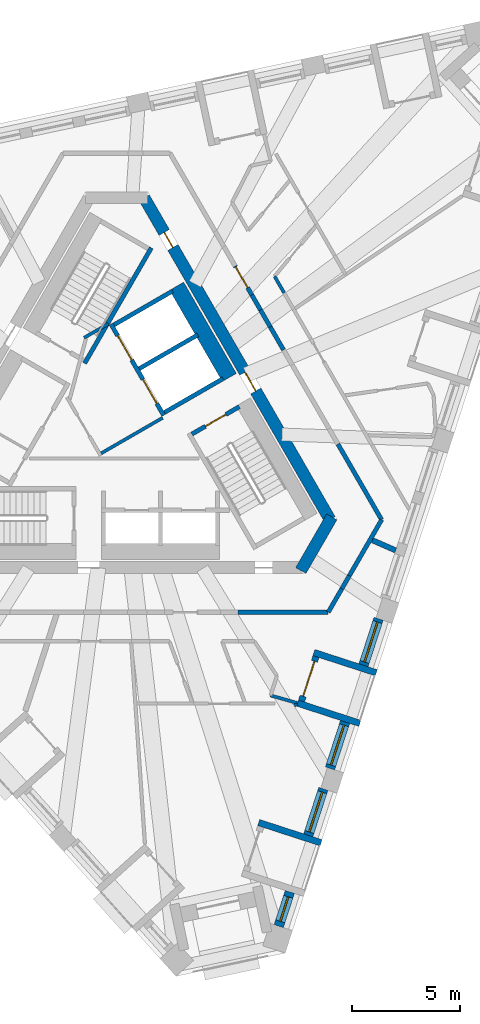
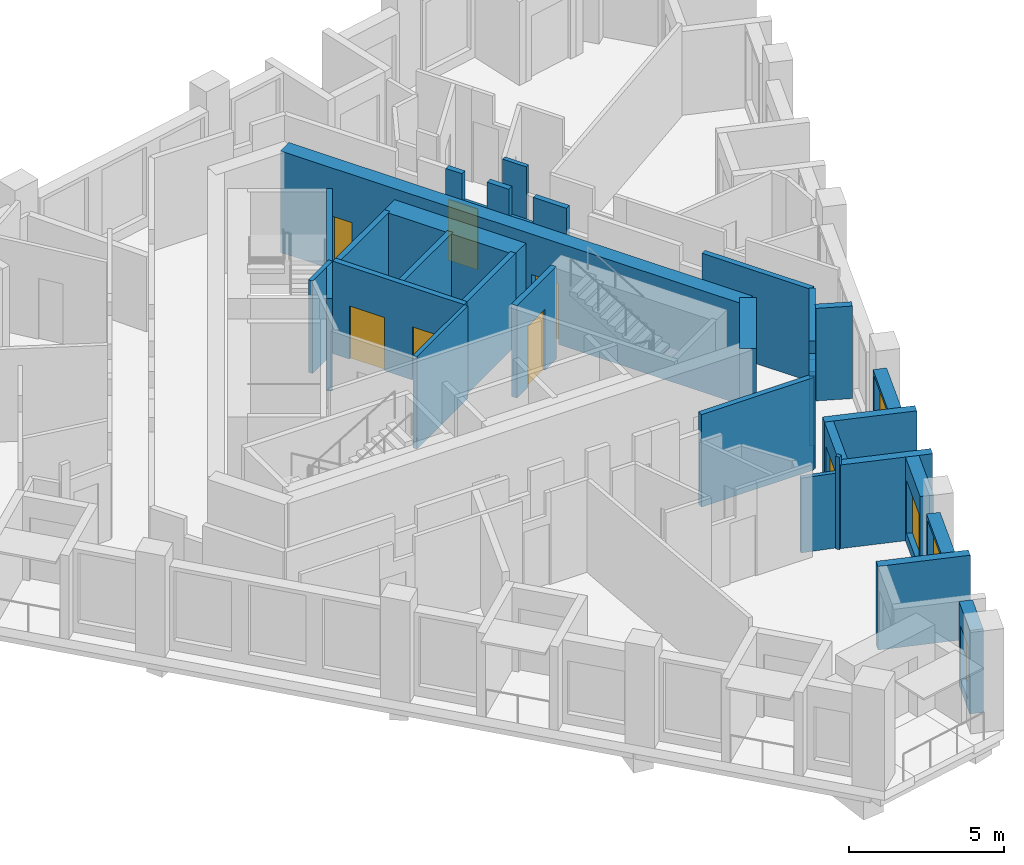
# One storey, part 5 of 12: 32 walls, 7 doors, 4 windows, 11 openings.
"""IFC4 building model written with IfcOpenShell, lengths in metres."""

from ifc_helpers import new_model, si_unit, direction, frame, frame_2d, origin, place, context, subcontext, project, spatial, polyline, rectangle, outline, extrude, material, layer, layer_set, type_object, element, fill, save


model = new_model("IFC4")

# Units and contexts
model_context = context("Model", 3, precision=1e-05, world=origin(), true_north=direction((0.0, 1.0)))
body_context = subcontext(model_context, "Body", "Model", "MODEL_VIEW")
ifc_project = project(units=[si_unit("LENGTHUNIT", "METRE"), si_unit("AREAUNIT", "SQUARE_METRE"), si_unit("VOLUMEUNIT", "CUBIC_METRE"), si_unit("PLANEANGLEUNIT", "RADIAN"), si_unit("MASSUNIT", "GRAM", prefix="KILO")], contexts=[model_context])

# Site, building, storey
site_placement = place(None, origin())
site = spatial("IfcSite", under=ifc_project, at=site_placement, CompositionType="ELEMENT")
building_placement = place(site_placement, origin())
building = spatial("IfcBuilding", under=site, at=building_placement, Name="Tramontana Tower", CompositionType="ELEMENT")
storey_placement = place(building_placement, frame((0.0, 0.0, 336.39990234375)))
storey = spatial("IfcBuildingStorey", under=building, at=storey_placement, Name="L77", CompositionType="ELEMENT", Elevation=336.39990234375)

# Wall
ifc_material_1 = material(Name="Concrete 70 MPa", Category="concrete")
ifc_layer_1 = layer(ifc_material_1, 0.550048828125)
ifc_layer_set_1 = layer_set([ifc_layer_1], Name="Core wall 550 70 MPa")
wall_type_1 = type_object("IfcWallType", Name="Core wall 550 70 MPa", PredefinedType="SHEAR", material=ifc_layer_set_1)
wall_1_placement = place(storey_placement, frame((8.56640625, -6.612548828125, 0.0), z_axis=(0.0, 0.0, 1.0), x_axis=(0.499995765644, 0.866027848477, 0.0)))
element("IfcWall", 1, at=wall_1_placement, inside=storey, type_object=wall_type_1, Name="Core wall C4 L77", PredefinedType="SHEAR", context=body_context, shape_type="SweptSolid", body=[
    extrude(rectangle(XDim=2.88671875, YDim=0.550048828125, at=frame_2d((1.443359375, 0.0))), origin(), (0.0, 0.0, 1.0), 4.0),
])

# Wall, openings, doors
wall_2_placement = place(storey_placement, frame((9.930419921875, -4.25, 0.0), z_axis=(0.0, 0.0, 1.0), x_axis=(-0.499994590896, 0.86602852671, 0.0)))
wall_2 = element("IfcWall", 2, at=wall_2_placement, inside=storey, type_object=wall_type_1, Name="Core wall C5 L77", PredefinedType="SHEAR", context=body_context, shape_type="SweptSolid", body=[
    extrude(rectangle(XDim=17.291748046875, YDim=0.550048828125, at=frame_2d((8.64599609375, 0.0))), origin(), (0.0, 0.0, 1.0), 4.0),
])
opening_1_placement = place(wall_2_placement, frame((6.9208984375, 0.0, 0.0)))
opening_1 = element("IfcOpeningElement", 3, at=opening_1_placement, cuts=wall_2, Name="Opening RG3", PredefinedType="OPENING", context=body_context, shape_type="SweptSolid", body=[
    extrude(rectangle(XDim=1.0, YDim=2.39990234375, at=frame_2d((0.5, 1.199951171875))), frame((0.0, 0.284912109375, 0.0), z_axis=(0.0, -1.0, 0.0), x_axis=(1.0, 0.0, 0.0)), (0.0, 0.0, 1.0), 0.570068359375),
])
opening_2_placement = place(wall_2_placement, frame((14.625732421875, 0.0, 0.0)))
opening_2 = element("IfcOpeningElement", 4, at=opening_2_placement, cuts=wall_2, Name="Opening PD3", PredefinedType="OPENING", context=body_context, shape_type="SweptSolid", body=[
    extrude(rectangle(XDim=0.800048828125, YDim=2.10009765625, at=frame_2d((0.39990234375, 1.050048828125))), frame((0.0, 0.284912109375, 0.0), z_axis=(0.0, -1.0, 0.0), x_axis=(1.0, 0.0, 0.0)), (0.0, 0.0, 1.0), 0.570068359375),
])
ifc_material_2 = material(Name="Painted steel", Category="steel")
door_type_1 = type_object("IfcDoorType", Name="CUPBOARD DOOR 800", OperationType="SINGLE_SWING_LEFT", PredefinedType="DOOR", material=ifc_material_2)
door_1_placement = place(opening_2_placement, origin())
door_1 = element("IfcDoor", 5, at=door_1_placement, inside=storey, type_object=door_type_1, Name="Door PD3", OperationType="SINGLE_SWING_RIGHT", OverallHeight=2.10009765625, OverallWidth=0.800048828125, PredefinedType="DOOR", context=body_context, shape_type="SweptSolid", body=[
    extrude(rectangle(XDim=0.800048828125, YDim=2.10009765625, at=frame_2d((0.39990234375, 1.050048828125))), frame((0.0, 0.02490234375, 0.0), z_axis=(0.0, -1.0, 0.0), x_axis=(1.0, 0.0, 0.0)), (0.0, 0.0, 1.0), 0.050048828125),
])
fill(opening_2, door_1)
ifc_material_3 = material(Name="Painted steel", Category="steel")
door_type_2 = type_object("IfcDoorType", Name="RING DOOR 1000", OperationType="SINGLE_SWING_LEFT", PredefinedType="DOOR", material=ifc_material_3)
door_2_placement = place(opening_1_placement, origin())
door_2 = element("IfcDoor", 6, at=door_2_placement, inside=storey, type_object=door_type_2, Name="Door RG3", OperationType="SINGLE_SWING_RIGHT", OverallHeight=2.39990234375, OverallWidth=1.0, PredefinedType="DOOR", context=body_context, shape_type="SweptSolid", body=[
    extrude(rectangle(XDim=1.0, YDim=2.39990234375, at=frame_2d((0.5, 1.199951171875))), frame((0.0, 0.02490234375, 0.0), z_axis=(0.0, -1.0, 0.0), x_axis=(1.0, 0.0, 0.0)), (0.0, 0.0, 1.0), 0.050048828125),
])
fill(opening_1, door_2)

# Walls
ifc_material_4 = material(Name="Blockwork", Category="masonry")
ifc_layer_2 = layer(ifc_material_4, 0.199951171875)
ifc_layer_set_2 = layer_set([ifc_layer_2], Name="ENTRY WALL 200")
wall_type_2 = type_object("IfcWallType", Name="ENTRY WALL 200", PredefinedType="SOLIDWALL", material=ifc_layer_set_2)
wall_3_placement = place(storey_placement, frame((12.326416015625, -4.25, 0.0), z_axis=(0.0, 0.0, 1.0), x_axis=(-0.500003959331, -0.866023117852, 0.0)))
element("IfcWall", 7, at=wall_3_placement, inside=storey, type_object=wall_type_2, Name="Wall v81-ew0-0", PredefinedType="SOLIDWALL", context=body_context, shape_type="SweptSolid", body=[
    extrude(rectangle(XDim=3.0029296875, YDim=0.199951171875, at=frame_2d((1.50146484375, 0.0))), origin(), (0.0, 0.0, 1.0), 3.650146484375),
])
wall_4_placement = place(storey_placement, frame((10.824951171875, -6.8505859375, 0.0), z_axis=(0.0, 0.0, 1.0), x_axis=(-0.500144223137, -0.865942120504, 0.0)))
element("IfcWall", 8, at=wall_4_placement, inside=storey, type_object=wall_type_2, Name="Wall v81-ew0-1", PredefinedType="SOLIDWALL", context=body_context, shape_type="SweptSolid", body=[
    extrude(rectangle(XDim=0.701416015625, YDim=0.199951171875, at=frame_2d((0.3505859375, 0.0))), origin(), (0.0, 0.0, 1.0), 2.9501953125),
])
wall_5_placement = place(storey_placement, frame((10.47412109375, -7.4580078125, 0.0), z_axis=(0.0, 0.0, 1.0), x_axis=(-0.499929168788, -0.866066294342, 0.0)))
element("IfcWall", 9, at=wall_5_placement, inside=storey, type_object=wall_type_2, Name="Wall v81-ew0-2", PredefinedType="SOLIDWALL", context=body_context, shape_type="SweptSolid", body=[
    extrude(rectangle(XDim=1.260986328125, YDim=0.199951171875, at=frame_2d((0.63037109375, 0.0))), origin(), (0.0, 0.0, 1.0), 3.650146484375),
])
wall_6_placement = place(storey_placement, frame((9.84375, -8.550048828125, 0.0), z_axis=(0.0, 0.0, 1.0), x_axis=(-1.0, 0.0, 0.0)))
element("IfcWall", 10, at=wall_6_placement, inside=storey, type_object=wall_type_2, Name="Wall v81-ew1-0", PredefinedType="SOLIDWALL", context=body_context, shape_type="SweptSolid", body=[
    extrude(rectangle(XDim=4.1943359375, YDim=0.199951171875, at=frame_2d((2.09716796875, 0.0))), origin(), (0.0, 0.0, 1.0), 3.650146484375),
])

# Wall, opening, door
wall_7_placement = place(storey_placement, frame((5.515380859375, 7.547119140625, 0.0), z_axis=(0.0, 0.0, 1.0), x_axis=(0.499986163319, -0.866033392248, 0.0)))
wall_7 = element("IfcWall", 11, at=wall_7_placement, inside=storey, type_object=wall_type_2, Name="Wall v81-ew5-3", PredefinedType="SOLIDWALL", context=body_context, shape_type="SweptSolid", body=[
    extrude(outline(polyline([(0.0, 0.0), (1.54931640625, 0.0), (1.549072265625, 2.550048828125), (0.605224609375, 2.550048828125), (0.605224609375, 3.650146484375), (0.0, 3.650146484375), (0.0, 0.0)])), frame((0.0, 0.10009765625, 0.0), z_axis=(0.0, -1.0, 0.0), x_axis=(1.0, 0.0, 0.0)), (0.0, 0.0, 1.0), 0.199951171875),
])
opening_3_placement = place(wall_7_placement, frame((0.050048828125, 0.0, 0.0)))
opening_3 = element("IfcOpeningElement", 12, at=opening_3_placement, cuts=wall_7, Name="Opening B8B-18", PredefinedType="OPENING", context=body_context, shape_type="SweptSolid", body=[
    extrude(rectangle(XDim=1.10009765625, YDim=2.39990234375, at=frame_2d((0.550048828125, 1.199951171875))), frame((0.0, 0.10986328125, 0.0), z_axis=(0.0, -1.0, 0.0), x_axis=(1.0, 0.0, 0.0)), (0.0, 0.0, 1.0), 0.219970703125),
])
ifc_material_5 = material(Name="Painted timber", Category="wood")
door_type_3 = type_object("IfcDoorType", Name="DOOR ENTRY 1100", OperationType="SINGLE_SWING_LEFT", PredefinedType="DOOR", material=ifc_material_5)
door_3_placement = place(opening_3_placement, origin())
door_3 = element("IfcDoor", 13, at=door_3_placement, inside=storey, type_object=door_type_3, Name="Door B8B-18", OperationType="SINGLE_SWING_RIGHT", OverallHeight=2.39990234375, OverallWidth=1.10009765625, PredefinedType="DOOR", context=body_context, shape_type="SweptSolid", body=[
    extrude(rectangle(XDim=1.10009765625, YDim=2.39990234375, at=frame_2d((0.550048828125, 1.199951171875))), frame((0.0, 0.02490234375, 0.0), z_axis=(0.0, -1.0, 0.0), x_axis=(1.0, 0.0, 0.0)), (0.0, 0.0, 1.0), 0.050048828125),
])
fill(opening_3, door_3)

# Walls
wall_8_placement = place(storey_placement, frame((6.2900390625, 6.205322265625, 0.0), z_axis=(0.0, 0.0, 1.0), x_axis=(0.500045602705, -0.86599907345, 0.0)))
element("IfcWall", 14, at=wall_8_placement, inside=storey, type_object=wall_type_2, Name="Wall v81-ew5-4", PredefinedType="SOLIDWALL", context=body_context, shape_type="SweptSolid", body=[
    extrude(rectangle(XDim=0.806640625, YDim=0.199951171875, at=frame_2d((0.4033203125, 0.0))), origin(), (0.0, 0.0, 1.0), 3.650146484375),
])
wall_9_placement = place(storey_placement, frame((6.693359375, 5.5068359375, 0.0), z_axis=(0.0, 0.0, 1.0), x_axis=(0.499994660107, -0.866028486751, 0.0)))
element("IfcWall", 15, at=wall_9_placement, inside=storey, type_object=wall_type_2, Name="Wall v81-ew5-5", PredefinedType="SOLIDWALL", context=body_context, shape_type="SweptSolid", body=[
    extrude(rectangle(XDim=0.90576171875, YDim=0.199951171875, at=frame_2d((0.452880859375, 0.0))), origin(), (0.0, 0.0, 1.0), 2.550048828125),
])
wall_10_placement = place(storey_placement, frame((7.146240234375, 4.722412109375, 0.0), z_axis=(0.0, 0.0, 1.0), x_axis=(0.499955681623, -0.866050989499, 0.0)))
element("IfcWall", 16, at=wall_10_placement, inside=storey, type_object=wall_type_2, Name="Wall v81-ew5-6", PredefinedType="SOLIDWALL", context=body_context, shape_type="SweptSolid", body=[
    extrude(rectangle(XDim=1.23828125, YDim=0.199951171875, at=frame_2d((0.619140625, 0.0))), origin(), (0.0, 0.0, 1.0), 3.650146484375),
])
wall_11_placement = place(storey_placement, frame((10.29345703125, -0.72900390625, 0.0), z_axis=(0.0, 0.0, 1.0), x_axis=(0.50002046505, -0.86601358796, 0.0)))
element("IfcWall", 17, at=wall_11_placement, inside=storey, type_object=wall_type_2, Name="Wall v81-ew5-10", PredefinedType="SOLIDWALL", context=body_context, shape_type="SweptSolid", body=[
    extrude(rectangle(XDim=4.065673828125, YDim=0.199951171875, at=frame_2d((2.03271484375, 0.0))), origin(), (0.0, 0.0, 1.0), 3.650146484375),
])

# Wall, opening, window
ifc_material_6 = material(Name="Precast concrete 60 MPa", Category="concrete")
ifc_layer_3 = layer(ifc_material_6, 0.449951171875)
ifc_layer_set_3 = layer_set([ifc_layer_3], Name="Precast concrete 60 MPa, 450 mm")
wall_type_3 = type_object("IfcWallType", Name="EW1 Stone-faced precast wall 450", PredefinedType="SOLIDWALL", material=ifc_layer_set_3)
wall_12_placement = place(storey_placement, frame((7.541015625, -23.14794921875, 0.0), z_axis=(0.0, 0.0, 1.0), x_axis=(0.308944042168, 0.951080216811, 0.0)))
wall_12 = element("IfcWall", 18, at=wall_12_placement, inside=storey, type_object=wall_type_3, Name="External wall L77 face 1 bay 1", PredefinedType="SOLIDWALL", context=body_context, shape_type="SweptSolid", body=[
    extrude(rectangle(XDim=1.67138671875, YDim=0.449951171875, at=frame_2d((0.835693359375, 0.0))), origin(), (0.0, 0.0, 1.0), 3.300048828125),
])
opening_4_placement = place(wall_12_placement, frame((0.235595703125, 0.0, 0.39990234375)))
opening_4 = element("IfcOpeningElement", 19, at=opening_4_placement, cuts=wall_12, Name="Opening N3L", PredefinedType="OPENING", context=body_context, shape_type="SweptSolid", body=[
    extrude(rectangle(XDim=1.199951171875, YDim=2.10009765625, at=frame_2d((0.60009765625, 1.050048828125))), frame((0.0, 0.23486328125, 0.0), z_axis=(0.0, -1.0, 0.0), x_axis=(1.0, 0.0, 0.0)), (0.0, 0.0, 1.0), 0.469970703125),
])
ifc_material_7 = material(Name="Aluminum frame, double glazing unit", Category="aluminium")
window_type_1 = type_object("IfcWindowType", Name="N3L Window 1.2 x 2.1", PartitioningType="SINGLE_PANEL", PredefinedType="WINDOW", material=ifc_material_7)
window_1_placement = place(opening_4_placement, origin())
window_1 = element("IfcWindow", 20, at=window_1_placement, inside=storey, type_object=window_type_1, Name="Window N3L L77 face 1 module 1", OverallHeight=2.10009765625, OverallWidth=1.199951171875, PartitioningType="SINGLE_PANEL", PredefinedType="WINDOW", context=body_context, shape_type="SweptSolid", body=[
    extrude(rectangle(XDim=1.199951171875, YDim=2.10009765625, at=frame_2d((0.60009765625, 1.050048828125))), frame((0.0, 0.030029296875, 0.0), z_axis=(0.0, -1.0, 0.0), x_axis=(1.0, 0.0, 0.0)), (0.0, 0.0, 1.0), 0.06005859375),
])
fill(opening_4, window_1)

wall_13_placement = place(storey_placement, frame((8.913818359375, -18.922607421875, 0.0), z_axis=(0.0, 0.0, 1.0), x_axis=(0.309059334219, 0.951042758204, 0.0)))
wall_13 = element("IfcWall", 21, at=wall_13_placement, inside=storey, type_object=wall_type_3, Name="External wall L77 face 1 bay 1", PredefinedType="SOLIDWALL", context=body_context, shape_type="SweptSolid", body=[
    extrude(rectangle(XDim=2.27099609375, YDim=0.449951171875, at=frame_2d((1.135498046875, 0.0))), origin(), (0.0, 0.0, 1.0), 3.300048828125),
])
opening_5_placement = place(wall_13_placement, frame((0.16064453125, 0.0, 0.39990234375)))
opening_5 = element("IfcOpeningElement", 22, at=opening_5_placement, cuts=wall_13, Name="Opening M3", PredefinedType="OPENING", context=body_context, shape_type="SweptSolid", body=[
    extrude(rectangle(XDim=1.949951171875, YDim=2.75, at=frame_2d((0.97509765625, 1.375))), frame((0.0, 0.23486328125, 0.0), z_axis=(0.0, -1.0, 0.0), x_axis=(1.0, 0.0, 0.0)), (0.0, 0.0, 1.0), 0.469970703125),
])
ifc_material_8 = material(Name="Aluminum frame, double glazing unit", Category="aluminium")
window_type_2 = type_object("IfcWindowType", Name="M3 Window 1.95 x 2.75", PartitioningType="SINGLE_PANEL", PredefinedType="WINDOW", material=ifc_material_8)
window_2_placement = place(opening_5_placement, origin())
window_2 = element("IfcWindow", 23, at=window_2_placement, inside=storey, type_object=window_type_2, Name="Window M3 L77 face 1 module 3", OverallHeight=2.75, OverallWidth=1.949951171875, PartitioningType="SINGLE_PANEL", PredefinedType="WINDOW", context=body_context, shape_type="SweptSolid", body=[
    extrude(rectangle(XDim=1.949951171875, YDim=2.75, at=frame_2d((0.97509765625, 1.375))), frame((0.0, 0.030029296875, 0.0), z_axis=(0.0, -1.0, 0.0), x_axis=(1.0, 0.0, 0.0)), (0.0, 0.0, 1.0), 0.06005859375),
])
fill(opening_5, window_2)

wall_14_placement = place(storey_placement, frame((9.9248046875, -15.8115234375, 0.0), z_axis=(0.0, 0.0, 1.0), x_axis=(0.308930512416, 0.95108461164, 0.0)))
wall_14 = element("IfcWall", 24, at=wall_14_placement, inside=storey, type_object=wall_type_3, Name="External wall L77 face 1 bay 2", PredefinedType="SOLIDWALL", context=body_context, shape_type="SweptSolid", body=[
    extrude(rectangle(XDim=2.271240234375, YDim=0.449951171875, at=frame_2d((1.1357421875, 0.0))), origin(), (0.0, 0.0, 1.0), 3.300048828125),
])
opening_6_placement = place(wall_14_placement, frame((0.16064453125, 0.0, 0.39990234375)))
opening_6 = element("IfcOpeningElement", 25, at=opening_6_placement, cuts=wall_14, Name="Opening M3L", PredefinedType="OPENING", context=body_context, shape_type="SweptSolid", body=[
    extrude(rectangle(XDim=1.949951171875, YDim=2.10009765625, at=frame_2d((0.97509765625, 1.050048828125))), frame((0.0, 0.23486328125, 0.0), z_axis=(0.0, -1.0, 0.0), x_axis=(1.0, 0.0, 0.0)), (0.0, 0.0, 1.0), 0.469970703125),
])
ifc_material_9 = material(Name="Aluminum frame, double glazing unit", Category="aluminium")
window_type_3 = type_object("IfcWindowType", Name="M3L Window 1.95 x 2.1", PartitioningType="SINGLE_PANEL", PredefinedType="WINDOW", material=ifc_material_9)
window_3_placement = place(opening_6_placement, origin())
window_3 = element("IfcWindow", 26, at=window_3_placement, inside=storey, type_object=window_type_3, Name="Window M3L L77 face 1 module 4", OverallHeight=2.10009765625, OverallWidth=1.949951171875, PartitioningType="SINGLE_PANEL", PredefinedType="WINDOW", context=body_context, shape_type="SweptSolid", body=[
    extrude(rectangle(XDim=1.949951171875, YDim=2.10009765625, at=frame_2d((0.97509765625, 1.050048828125))), frame((0.0, 0.030029296875, 0.0), z_axis=(0.0, -1.0, 0.0), x_axis=(1.0, 0.0, 0.0)), (0.0, 0.0, 1.0), 0.06005859375),
])
fill(opening_6, window_3)

wall_15_placement = place(storey_placement, frame((11.48291015625, -11.015869140625, 0.0), z_axis=(0.0, 0.0, 1.0), x_axis=(0.309027740273, 0.951053024674, 0.0)))
wall_15 = element("IfcWall", 27, at=wall_15_placement, inside=storey, type_object=wall_type_3, Name="External wall L77 face 1 bay 2", PredefinedType="SOLIDWALL", context=body_context, shape_type="SweptSolid", body=[
    extrude(rectangle(XDim=2.271240234375, YDim=0.449951171875, at=frame_2d((1.1357421875, 0.0))), origin(), (0.0, 0.0, 1.0), 3.300048828125),
])
opening_7_placement = place(wall_15_placement, frame((0.16064453125, 0.0, 0.39990234375)))
opening_7 = element("IfcOpeningElement", 28, at=opening_7_placement, cuts=wall_15, Name="Opening M3", PredefinedType="OPENING", context=body_context, shape_type="SweptSolid", body=[
    extrude(rectangle(XDim=1.949951171875, YDim=2.75, at=frame_2d((0.97509765625, 1.375))), frame((0.0, 0.23486328125, 0.0), z_axis=(0.0, -1.0, 0.0), x_axis=(1.0, 0.0, 0.0)), (0.0, 0.0, 1.0), 0.469970703125),
])
window_4_placement = place(opening_7_placement, origin())
window_4 = element("IfcWindow", 29, at=window_4_placement, inside=storey, type_object=window_type_2, Name="Window M3 L77 face 1 module 6", OverallHeight=2.75, OverallWidth=1.949951171875, PartitioningType="SINGLE_PANEL", PredefinedType="WINDOW", context=body_context, shape_type="SweptSolid", body=[
    extrude(rectangle(XDim=1.949951171875, YDim=2.75, at=frame_2d((0.97509765625, 1.375))), frame((0.0, 0.030029296875, 0.0), z_axis=(0.0, -1.0, 0.0), x_axis=(1.0, 0.0, 0.0)), (0.0, 0.0, 1.0), 0.06005859375),
])
fill(opening_7, window_4)

# Wall
ifc_material_10 = material(Name="Precast concrete 60 MPa", Category="concrete")
ifc_layer_4 = layer(ifc_material_10, 0.300048828125)
ifc_layer_set_4 = layer_set([ifc_layer_4], Name="LW1 Stone-faced loggia wall 300")
wall_type_4 = type_object("IfcWallType", Name="LW1 Stone-faced loggia wall 300", PredefinedType="SOLIDWALL", material=ifc_layer_set_4)
wall_16_placement = place(storey_placement, frame((9.509521484375, -19.27392578125, 0.0), z_axis=(0.0, 0.0, 1.0), x_axis=(-0.951072883748, 0.308966615996, 0.0)))
element("IfcWall", 30, at=wall_16_placement, inside=storey, type_object=wall_type_4, Name="Loggia return L77 G8S1.1b", PredefinedType="SOLIDWALL", context=body_context, shape_type="SweptSolid", body=[
    extrude(rectangle(XDim=3.050048828125, YDim=0.300048828125, at=frame_2d((1.52490234375, 0.0))), origin(), (0.0, 0.0, 1.0), 3.300048828125),
])

# Wall, opening, door
wall_17_placement = place(storey_placement, frame((8.603271484375, -12.678466796875, 0.0), z_axis=(0.0, 0.0, 1.0), x_axis=(0.308999623589, 0.95106216023, 0.0)))
wall_17 = element("IfcWall", 31, at=wall_17_placement, inside=storey, type_object=wall_type_4, Name="Loggia wall L77 G8S1.4", PredefinedType="SOLIDWALL", context=body_context, shape_type="SweptSolid", body=[
    extrude(rectangle(XDim=2.171142578125, YDim=0.300048828125, at=frame_2d((1.08544921875, 0.0))), origin(), (0.0, 0.0, 1.0), 3.300048828125),
])
opening_8_placement = place(wall_17_placement, frame((0.235595703125, 0.0, 0.0)))
opening_8 = element("IfcOpeningElement", 32, at=opening_8_placement, cuts=wall_17, Name="Opening BD-8S1-04", PredefinedType="OPENING", context=body_context, shape_type="SweptSolid", body=[
    extrude(rectangle(XDim=1.699951171875, YDim=2.5, at=frame_2d((0.85009765625, 1.25))), frame((0.0, 0.159912109375, 0.0), z_axis=(0.0, -1.0, 0.0), x_axis=(1.0, 0.0, 0.0)), (0.0, 0.0, 1.0), 0.320068359375),
])
ifc_material_11 = material(Name="Aluminum frame, double glazing unit", Category="aluminium")
door_type_4 = type_object("IfcDoorType", Name="BD3 Sliding door 1.7 x 2.5", OperationType="SLIDING_TO_LEFT", PredefinedType="DOOR", material=ifc_material_11)
door_4_placement = place(opening_8_placement, origin())
door_4 = element("IfcDoor", 33, at=door_4_placement, inside=storey, type_object=door_type_4, Name="Loggia door L77 G8S1.4", OperationType="SLIDING_TO_LEFT", OverallHeight=2.5, OverallWidth=1.699951171875, PredefinedType="DOOR", context=body_context, shape_type="SweptSolid", body=[
    extrude(rectangle(XDim=1.699951171875, YDim=2.5, at=frame_2d((0.85009765625, 1.25))), frame((0.0, 0.02490234375, 0.0), z_axis=(0.0, -1.0, 0.0), x_axis=(1.0, 0.0, 0.0)), (0.0, 0.0, 1.0), 0.050048828125),
])
fill(opening_8, door_4)

# Walls
for number, where, z_axis, x_axis, name in (
    (34, (11.31494140625, -13.71728515625, 0.0), (0.0, 0.0, 1.0), (-0.951072883748, 0.308966615996, 0.0), "Loggia return L77 G8S1.4a"),
    (35, (12.07861328125, -11.366943359375, 0.0), (0.0, 0.0, 1.0), (-0.951072883748, 0.308966615996, 0.0), "Loggia return L77 G8S1.4b"),
):
    element("IfcWall", number, at=place(storey_placement, frame(where, z_axis=z_axis, x_axis=x_axis)), inside=storey, type_object=wall_type_4, Name=name, PredefinedType="SOLIDWALL", context=body_context, shape_type="SweptSolid", body=[
        extrude(rectangle(XDim=3.050048828125, YDim=0.300048828125, at=frame_2d((1.52490234375, 0.0))), origin(), (0.0, 0.0, 1.0), 3.300048828125),
    ])
ifc_material_12 = material(Name="Gypsum board partition")
ifc_layer_5 = layer(ifc_material_12, 0.14990234375)
ifc_layer_set_5 = layer_set([ifc_layer_5], Name="PARTITION 150")
wall_type_5 = type_object("IfcWallType", Name="PARTITION 150", PredefinedType="PARTITIONING", material=ifc_layer_set_5)
wall_18_placement = place(storey_placement, frame((-0.716796875, -1.15869140625, 0.0), z_axis=(0.0, 0.0, 1.0), x_axis=(0.866008176907, 0.50002983664, 0.0)))
element("IfcWall", 36, at=wall_18_placement, inside=storey, type_object=wall_type_5, Name="Wall ff-end0", PredefinedType="PARTITIONING", context=body_context, shape_type="SweptSolid", body=[
    extrude(rectangle(XDim=3.300048828125, YDim=0.14990234375, at=frame_2d((1.64990234375, 0.0))), origin(), (0.0, 0.0, 1.0), 3.650146484375),
])
wall_19_placement = place(storey_placement, frame((-1.509765625, 4.21484375, 0.0), z_axis=(0.0, 0.0, 1.0), x_axis=(0.866085525409, 0.49989585183, 0.0)))
element("IfcWall", 37, at=wall_19_placement, inside=storey, type_object=wall_type_5, Name="Wall ff-end1", PredefinedType="PARTITIONING", context=body_context, shape_type="SweptSolid", body=[
    extrude(rectangle(XDim=1.300048828125, YDim=0.14990234375, at=frame_2d((0.64990234375, 0.0))), origin(), (0.0, 0.0, 1.0), 3.650146484375),
])
wall_20_placement = place(storey_placement, frame((7.34814453125, 7.07275390625, 0.0), z_axis=(0.0, 0.0, 1.0), x_axis=(0.499952443665, -0.866052858707, 0.0)))
element("IfcWall", 38, at=wall_20_placement, inside=storey, type_object=wall_type_5, Name="Wall v81-pw24-0", PredefinedType="PARTITIONING", context=body_context, shape_type="SweptSolid", body=[
    extrude(rectangle(XDim=0.88818359375, YDim=0.14990234375, at=frame_2d((0.444091796875, 0.0))), origin(), (0.0, 0.0, 1.0), 3.650146484375),
])
wall_21_placement = place(storey_placement, frame((8.36767578125, -12.91748046875, 0.0), z_axis=(0.0, 0.0, 1.0), x_axis=(-0.542961688991, 0.839757467539, 0.0)))
element("IfcWall", 39, at=wall_21_placement, inside=storey, type_object=wall_type_5, Name="Wall v81-pw28", PredefinedType="PARTITIONING", context=body_context, shape_type="SweptSolid", body=[
    extrude(rectangle(XDim=0.139892578125, YDim=0.14990234375, at=frame_2d((0.06982421875, 0.0))), origin(), (0.0, 0.0, 1.0), 3.650146484375),
])
wall_22_placement = place(storey_placement, frame((8.4140625, -12.77490234375, 0.0), z_axis=(0.0, 0.0, 1.0), x_axis=(-0.962207901517, 0.272315908933, 0.0)))
element("IfcWall", 40, at=wall_22_placement, inside=storey, type_object=wall_type_5, Name="Wall v81-pw29-0", PredefinedType="PARTITIONING", context=body_context, shape_type="SweptSolid", body=[
    extrude(rectangle(XDim=1.30078125, YDim=0.14990234375, at=frame_2d((0.650390625, 0.0))), origin(), (0.0, 0.0, 1.0), 2.9501953125),
])
ifc_material_13 = material(Name="Blockwork", Category="masonry")
ifc_layer_6 = layer(ifc_material_13, 0.25)
ifc_layer_set_6 = layer_set([ifc_layer_6], Name="PARTY WALL 250")
wall_type_6 = type_object("IfcWallType", Name="PARTY WALL 250", PredefinedType="SOLIDWALL", material=ifc_layer_set_6)
wall_23_placement = place(storey_placement, frame((11.893798828125, -5.199462890625, 0.0), z_axis=(0.0, 0.0, 1.0), x_axis=(0.916270561307, -0.4005599312, 0.0)))
element("IfcWall", 41, at=wall_23_placement, inside=storey, type_object=wall_type_6, Name="Wall v81-pw32", PredefinedType="SOLIDWALL", context=body_context, shape_type="SweptSolid", body=[
    extrude(rectangle(XDim=1.187255859375, YDim=0.25, at=frame_2d((0.59375, 0.0))), origin(), (0.0, 0.0, 1.0), 3.650146484375),
])
ifc_material_14 = material(Name="Concrete 70 MPa", Category="concrete")
ifc_layer_7 = layer(ifc_material_14, 0.75)
ifc_layer_set_7 = layer_set([ifc_layer_7], Name="Concrete 70 MPa, 750 mm")
wall_type_7 = type_object("IfcWallType", Name="RC SHAFT BACK WALL 750", PredefinedType="SOLIDWALL", material=ifc_layer_set_7)
wall_24_placement = place(storey_placement, frame((5.242919921875, 2.368896484375, 0.0), z_axis=(0.0, 0.0, 1.0), x_axis=(-0.500002801628, 0.866023786258, 0.0)))
element("IfcWall", 42, at=wall_24_placement, inside=storey, type_object=wall_type_7, Name="Wall row2-back", PredefinedType="SOLIDWALL", context=body_context, shape_type="SweptSolid", body=[
    extrude(rectangle(XDim=4.89990234375, YDim=0.75, at=frame_2d((2.449951171875, 0.0))), origin(), (0.0, 0.0, 1.0), 3.650146484375),
])
ifc_material_15 = material(Name="Concrete 70 MPa", Category="concrete")
ifc_layer_8 = layer(ifc_material_15, 0.199951171875)
ifc_layer_set_8 = layer_set([ifc_layer_8], Name="Concrete 70 MPa, 200 mm")
wall_type_8 = type_object("IfcWallType", Name="RC STAIR AND SHAFT WALL 200", PredefinedType="SOLIDWALL", material=ifc_layer_set_8)
wall_25_placement = place(storey_placement, frame((1.615234375, 8.3974609375, 0.0), z_axis=(0.0, 0.0, 1.0), x_axis=(-0.500009909098, -0.866019682689, 0.0)))
element("IfcWall", 43, at=wall_25_placement, inside=storey, type_object=wall_type_8, Name="Wall st1-front", PredefinedType="SOLIDWALL", context=body_context, shape_type="SweptSolid", body=[
    extrude(rectangle(XDim=6.199951171875, YDim=0.199951171875, at=frame_2d((3.10009765625, 0.0))), origin(), (0.0, 0.0, 1.0), 3.650146484375),
])

# Wall, opening, door
wall_26_placement = place(storey_placement, frame((3.50146484375, -0.2646484375, 0.0), z_axis=(0.0, 0.0, 1.0), x_axis=(0.866030925526, 0.499990435942, 0.0)))
wall_26 = element("IfcWall", 44, at=wall_26_placement, inside=storey, type_object=wall_type_8, Name="Wall st3-near", PredefinedType="SOLIDWALL", context=body_context, shape_type="SweptSolid", body=[
    extrude(rectangle(XDim=2.5498046875, YDim=0.199951171875, at=frame_2d((1.27490234375, 0.0))), origin(), (0.0, 0.0, 1.0), 3.650146484375),
])
opening_9_placement = place(wall_26_placement, frame((0.72509765625, 0.0, 0.0)))
opening_9 = element("IfcOpeningElement", 45, at=opening_9_placement, cuts=wall_26, Name="Opening SD3", PredefinedType="OPENING", context=body_context, shape_type="SweptSolid", body=[
    extrude(rectangle(XDim=1.10009765625, YDim=2.39990234375, at=frame_2d((0.550048828125, 1.199951171875))), frame((0.0, 0.10986328125, 0.0), z_axis=(0.0, -1.0, 0.0), x_axis=(1.0, 0.0, 0.0)), (0.0, 0.0, 1.0), 0.219970703125),
])
ifc_material_16 = material(Name="Painted steel", Category="steel")
door_type_5 = type_object("IfcDoorType", Name="STAIR DOOR 1100", OperationType="SINGLE_SWING_LEFT", PredefinedType="DOOR", material=ifc_material_16)
door_5_placement = place(opening_9_placement, origin())
door_5 = element("IfcDoor", 46, at=door_5_placement, inside=storey, type_object=door_type_5, Name="Door SD3", OperationType="SINGLE_SWING_RIGHT", OverallHeight=2.39990234375, OverallWidth=1.10009765625, PredefinedType="DOOR", context=body_context, shape_type="SweptSolid", body=[
    extrude(rectangle(XDim=1.10009765625, YDim=2.39990234375, at=frame_2d((0.550048828125, 1.199951171875))), frame((0.0, 0.02490234375, 0.0), z_axis=(0.0, -1.0, 0.0), x_axis=(1.0, 0.0, 0.0)), (0.0, 0.0, 1.0), 0.050048828125),
])
fill(opening_9, door_5)

# Wall, openings, doors
wall_27_placement = place(storey_placement, frame((2.190185546875, 0.6064453125, 0.0), z_axis=(0.0, 0.0, 1.0), x_axis=(-0.500002801628, 0.866023786258, 0.0)))
wall_27 = element("IfcWall", 47, at=wall_27_placement, inside=storey, type_object=wall_type_8, Name="Wall row2-front", PredefinedType="SOLIDWALL", context=body_context, shape_type="SweptSolid", body=[
    extrude(rectangle(XDim=4.89990234375, YDim=0.199951171875, at=frame_2d((2.449951171875, 0.0))), origin(), (0.0, 0.0, 1.0), 3.650146484375),
])
opening_10_placement = place(wall_27_placement, frame((0.625, 0.0, 0.0)))
opening_10 = element("IfcOpeningElement", 48, at=opening_10_placement, cuts=wall_27, Name="Opening LD-F1", PredefinedType="OPENING", context=body_context, shape_type="SweptSolid", body=[
    extrude(rectangle(XDim=1.300048828125, YDim=2.10009765625, at=frame_2d((0.64990234375, 1.050048828125))), frame((0.0, 0.10986328125, 0.0), z_axis=(0.0, -1.0, 0.0), x_axis=(1.0, 0.0, 0.0)), (0.0, 0.0, 1.0), 0.219970703125),
])
opening_11_placement = place(wall_27_placement, frame((2.97509765625, 0.0, 0.0)))
opening_11 = element("IfcOpeningElement", 49, at=opening_11_placement, cuts=wall_27, Name="Opening LD-F2", PredefinedType="OPENING", context=body_context, shape_type="SweptSolid", body=[
    extrude(rectangle(XDim=1.300048828125, YDim=2.10009765625, at=frame_2d((0.64990234375, 1.050048828125))), frame((0.0, 0.10986328125, 0.0), z_axis=(0.0, -1.0, 0.0), x_axis=(1.0, 0.0, 0.0)), (0.0, 0.0, 1.0), 0.219970703125),
])
ifc_material_17 = material(Name="Brushed steel", Category="steel")
door_type_6 = type_object("IfcDoorType", Name="LANDING DOOR 1300", OperationType="SINGLE_SWING_LEFT", PredefinedType="DOOR", material=ifc_material_17)
door_6_placement = place(opening_10_placement, origin())
door_6 = element("IfcDoor", 50, at=door_6_placement, inside=storey, type_object=door_type_6, Name="Door LD-F1", OperationType="SLIDING_TO_LEFT", OverallHeight=2.10009765625, OverallWidth=1.300048828125, PredefinedType="DOOR", context=body_context, shape_type="SweptSolid", body=[
    extrude(rectangle(XDim=1.300048828125, YDim=2.10009765625, at=frame_2d((0.64990234375, 1.050048828125))), frame((0.0, 0.02490234375, 0.0), z_axis=(0.0, -1.0, 0.0), x_axis=(1.0, 0.0, 0.0)), (0.0, 0.0, 1.0), 0.050048828125),
])
fill(opening_10, door_6)
door_7_placement = place(opening_11_placement, origin())
door_7 = element("IfcDoor", 51, at=door_7_placement, inside=storey, type_object=door_type_6, Name="Door LD-F2", OperationType="SLIDING_TO_RIGHT", OverallHeight=2.10009765625, OverallWidth=1.300048828125, PredefinedType="DOOR", context=body_context, shape_type="SweptSolid", body=[
    extrude(rectangle(XDim=1.300048828125, YDim=2.10009765625, at=frame_2d((0.64990234375, 1.050048828125))), frame((0.0, 0.02490234375, 0.0), z_axis=(0.0, -1.0, 0.0), x_axis=(1.0, 0.0, 0.0)), (0.0, 0.0, 1.0), 0.050048828125),
])
fill(opening_11, door_7)

# Walls
for number, where, z_axis, x_axis, name in (
    (52, (2.226806640625, 0.742919921875, 0.0), (0.0, 0.0, 1.0), (0.866035871367, 0.499981869177, 0.0), "Wall row2-side0"),
    (53, (1.0517578125, 2.778076171875, 0.0), (0.0, 0.0, 1.0), (0.866035871367, 0.499981869177, 0.0), "Wall row2-side1"),
    (54, (-0.123046875, 4.813232421875, 0.0), (0.0, 0.0, 1.0), (0.866016494683, 0.500015430699, 0.0), "Wall row2-side2"),
):
    element("IfcWall", number, at=place(storey_placement, frame(where, z_axis=z_axis, x_axis=x_axis)), inside=storey, type_object=wall_type_8, Name=name, PredefinedType="SOLIDWALL", context=body_context, shape_type="SweptSolid", body=[
        extrude(rectangle(XDim=3.14990234375, YDim=0.199951171875, at=frame_2d((1.574951171875, 0.0))), origin(), (0.0, 0.0, 1.0), 3.650146484375),
    ])

save(model, "model.ifc")
